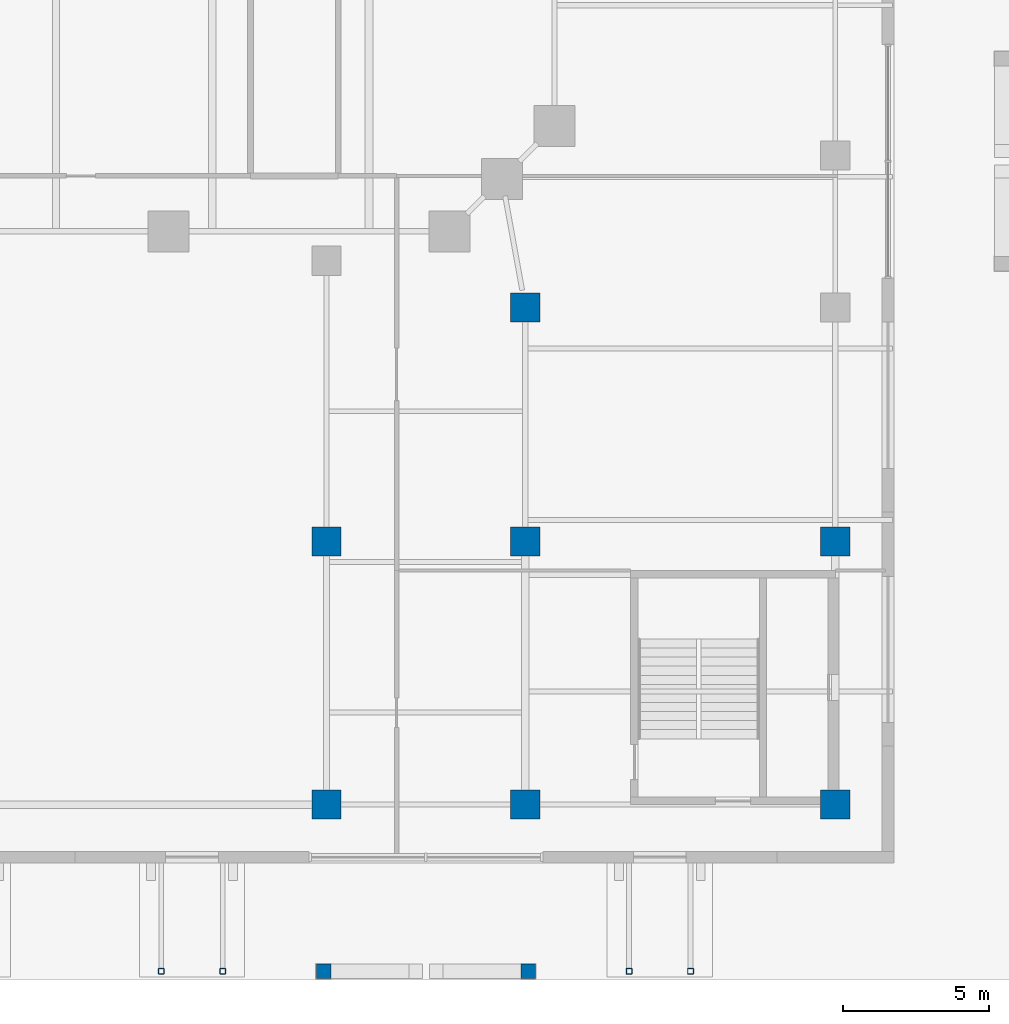
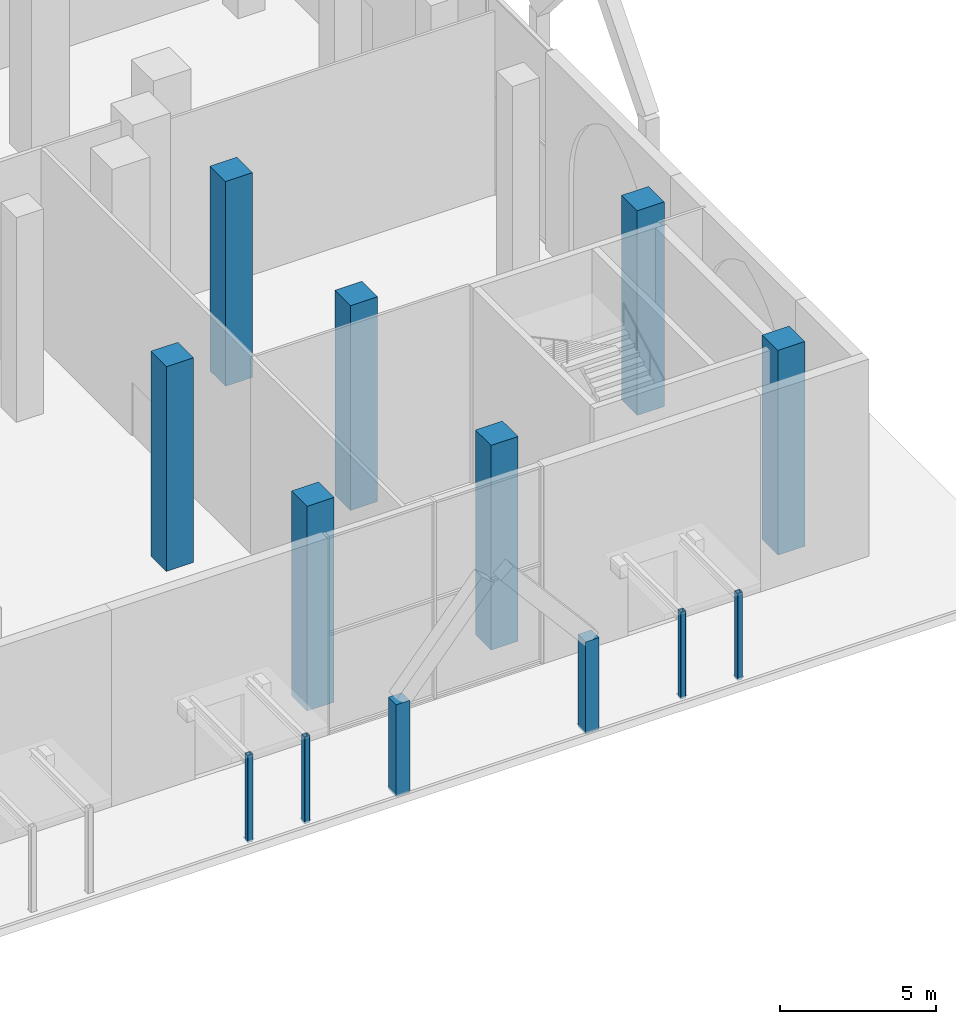
# One storey, part 6 of 38: 13 columns.
"""IFC4 building model written with IfcOpenShell, lengths in metres."""

from ifc_helpers import new_model, si_unit, direction, frame, origin, origin_2d, place, context, subcontext, project, spatial, rectangle, hollow_rectangle, extrude, material, material_profile, profile_set, type_object, element, save


model = new_model("IFC4")

# Units and contexts
model_context = context("Model", 3, precision=1e-05, world=origin(), true_north=direction((0.0, 1.0)))
body_context = subcontext(model_context, "Body", "Model", "MODEL_VIEW")
ifc_project = project(units=[si_unit("LENGTHUNIT", "METRE"), si_unit("AREAUNIT", "SQUARE_METRE"), si_unit("VOLUMEUNIT", "CUBIC_METRE"), si_unit("PLANEANGLEUNIT", "RADIAN"), si_unit("MASSUNIT", "GRAM", prefix="KILO")], contexts=[model_context])

# Site, building, storey
site_placement = place(None, origin())
site = spatial("IfcSite", under=ifc_project, at=site_placement, CompositionType="ELEMENT")
building_placement = place(site_placement, origin())
building = spatial("IfcBuilding", under=site, at=building_placement, Name="Ogive Exchange Tower", CompositionType="ELEMENT")
storey_placement = place(building_placement, origin())
storey = spatial("IfcBuildingStorey", under=building, at=storey_placement, Name="L00", CompositionType="ELEMENT", Elevation=0.0)

# Columns
ifc_material_1 = material(Name="Concrete C70/85", Category="concrete")
ifc_material_profile_1 = material_profile(ifc_material_1, rectangle(XDim=0.5, YDim=0.5, at=origin_2d()), Name="RC 500x500")
ifc_profile_set_1 = profile_set([ifc_material_profile_1], Name="Concrete C70/85")
column_type_1 = type_object("IfcColumnType", Name="Arcade pier 500x500", PredefinedType="COLUMN", material=ifc_profile_set_1)
for number, where, z_axis, x_axis, name in (
    (1, (24.5, -55.699951171875, -0.10009765625), (0.0, 0.0, 1.0), (1.0, 0.0, 0.0), "Arcade pier"),
    (2, (31.5, -55.699951171875, -0.10009765625), (0.0, 0.0, 1.0), (1.0, 0.0, 0.0), "Arcade pier"),
):
    element("IfcColumn", number, at=place(storey_placement, frame(where, z_axis=z_axis, x_axis=x_axis)), inside=storey, type_object=column_type_1, Name=name, PredefinedType="COLUMN", context=body_context, shape_type="SweptSolid", body=[
        extrude(rectangle(XDim=0.5, YDim=0.5, at=origin_2d()), origin(), (0.0, 0.0, 1.0), 3.60009765625),
    ])
ifc_material_2 = material(Name="Steel ASTM A1085 Gr A", Category="steel")
ifc_material_profile_2 = material_profile(ifc_material_2, hollow_rectangle(XDim=0.202880859375, YDim=0.202880859375, WallThickness=0.0126953125, InnerFilletRadius=0.0126953125, OuterFilletRadius=0.025390625, at=origin_2d()), Name="HSS203.2x203.2x12.7")
ifc_profile_set_2 = profile_set([ifc_material_profile_2], Name="Steel ASTM A1085 Gr A")
column_type_2 = type_object("IfcColumnType", Name="Canopy post HSS203.2x203.2x12.7", PredefinedType="COLUMN", material=ifc_profile_set_2)
for number, where, z_axis, x_axis, name in (
    (3, (18.949951171875, -55.699951171875, -0.10009765625), (0.0, 0.0, 1.0), (1.0, 0.0, 0.0), "Canopy post"),
    (4, (21.050048828125, -55.699951171875, -0.10009765625), (0.0, 0.0, 1.0), (1.0, 0.0, 0.0), "Canopy post"),
    (5, (34.949951171875, -55.699951171875, -0.10009765625), (0.0, 0.0, 1.0), (1.0, 0.0, 0.0), "Canopy post"),
    (6, (37.050048828125, -55.699951171875, -0.10009765625), (0.0, 0.0, 1.0), (1.0, 0.0, 0.0), "Canopy post"),
):
    element("IfcColumn", number, at=place(storey_placement, frame(where, z_axis=z_axis, x_axis=x_axis)), inside=storey, type_object=column_type_2, Name=name, PredefinedType="COLUMN", context=body_context, shape_type="SweptSolid", body=[
        extrude(hollow_rectangle(XDim=0.202880859375, YDim=0.202880859375, WallThickness=0.0126953125, InnerFilletRadius=0.0126953125, OuterFilletRadius=0.025390625, at=origin_2d()), origin(), (0.0, 0.0, 1.0), 3.400146484375),
    ])
ifc_material_profile_3 = material_profile(ifc_material_1, rectangle(XDim=1.0, YDim=1.0, at=origin_2d()), Name="RC 1000x1000")
ifc_profile_set_3 = profile_set([ifc_material_profile_3], Name="Concrete C70/85")
column_type_3 = type_object("IfcColumnType", Name="RC column 1000x1000", PredefinedType="COLUMN", material=ifc_profile_set_3)
for number, where, z_axis, x_axis, name in (
    (7, (24.60009765625, -50.0, 0.0), (0.0, 0.0, 1.0), (1.0, 0.0, 0.0), "Podium column"),
    (8, (31.39990234375, -50.0, 0.0), (0.0, 0.0, 1.0), (1.0, 0.0, 0.0), "Podium column"),
    (9, (42.0, -50.0, 0.0), (0.0, 0.0, 1.0), (1.0, 0.0, 0.0), "Podium column"),
    (10, (24.60009765625, -41.0, 0.0), (0.0, 0.0, 1.0), (1.0, 0.0, 0.0), "Podium column"),
    (11, (31.39990234375, -41.0, 0.0), (0.0, 0.0, 1.0), (1.0, 0.0, 0.0), "Podium column"),
    (12, (42.0, -41.0, 0.0), (0.0, 0.0, 1.0), (1.0, 0.0, 0.0), "Podium column"),
    (13, (31.39990234375, -33.0, 0.0), (0.0, 0.0, 1.0), (1.0, 0.0, 0.0), "Podium column"),
):
    element("IfcColumn", number, at=place(storey_placement, frame(where, z_axis=z_axis, x_axis=x_axis)), inside=storey, type_object=column_type_3, Name=name, PredefinedType="COLUMN", context=body_context, shape_type="SweptSolid", body=[
        extrude(rectangle(XDim=1.0, YDim=1.0, at=origin_2d()), origin(), (0.0, 0.0, 1.0), 8.0),
    ])

save(model, "model.ifc")
